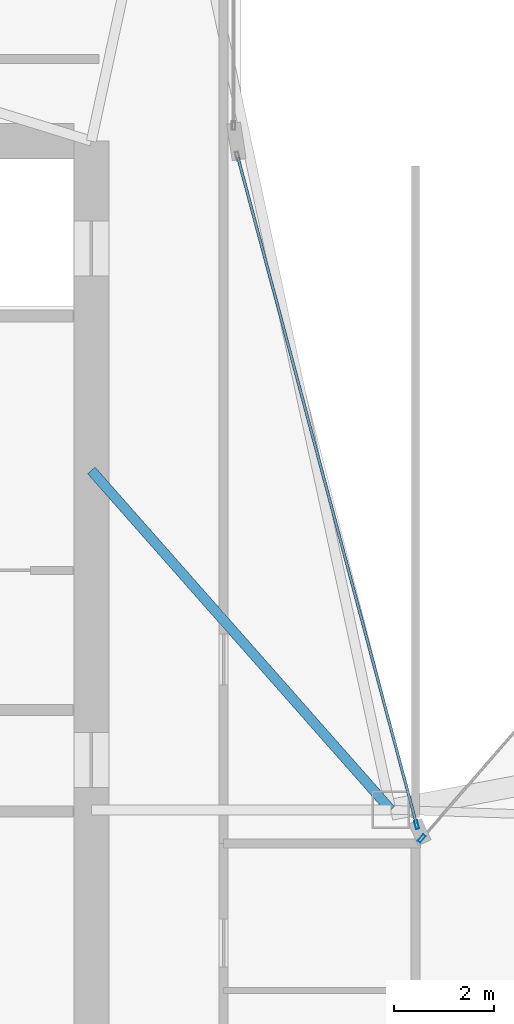
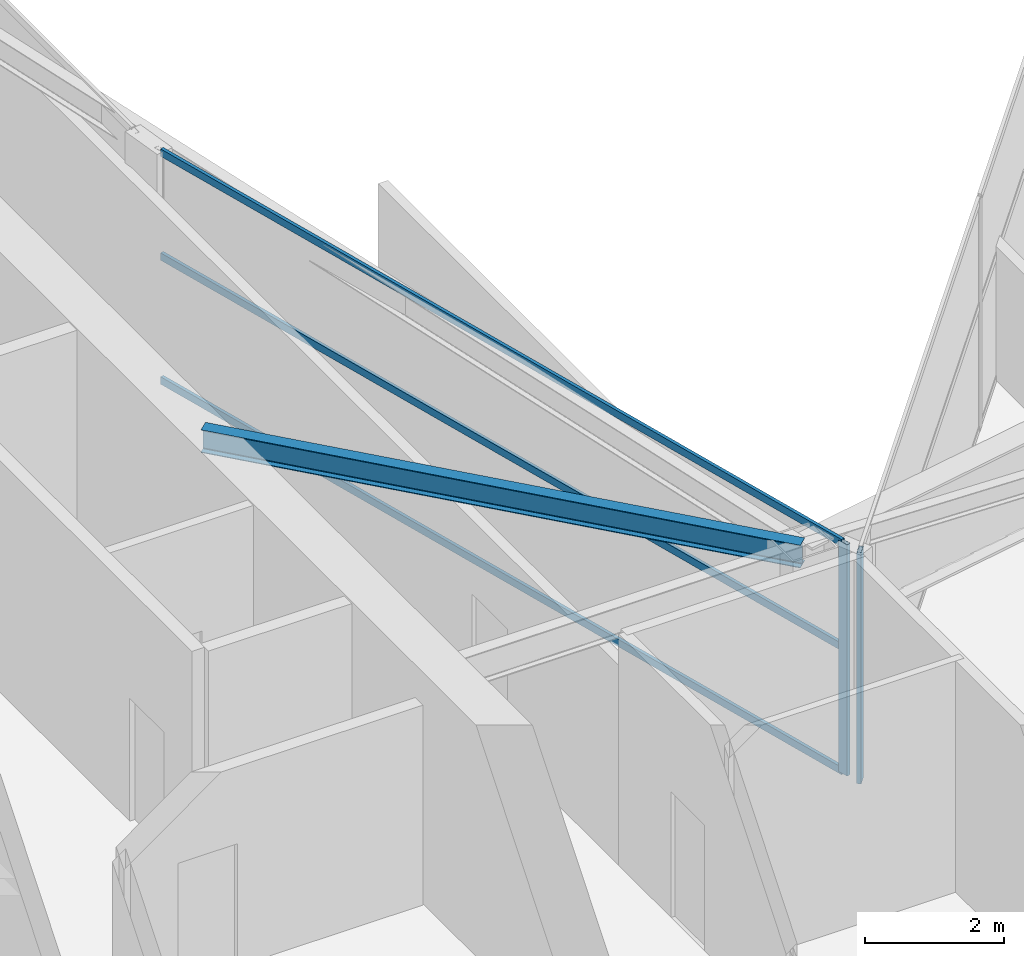
# One storey, part 11 of 29: 5 members, 1 beam, 2 elements without a shape of their own.
"""IFC4 building model written with IfcOpenShell, lengths in metres."""

import ifcopenshell
import ifcopenshell.guid

model = None  # the IFC model being written
_history = None  # IfcOwnerHistory: only IFC2X3 demands one
_inside = {}  # id of a spatial element -> (the spatial element, [elements in it])
_under = {}  # id of a project, library or spatial element -> (it, [spatial elements below it])
_declared = {}  # id of a project -> (the project, [libraries it declares])
_typed = {}  # id of a type object -> (the type object, [elements of that type])
_made_of = {}  # id of a material, layer set ... -> (it, [elements and type objects made of it])


def new_model(schema):
    """Start an empty IFC model of exactly this schema.

    Asked for "IFC4X3", IfcOpenShell would pick the latest addendum, in which some entities
    have other attributes; the version numbers below select the first issue.
    IFC2X3 requires an IfcOwnerHistory on every rooted entity: one is made here for all.
    """
    global model, _history
    if schema == "IFC4X3":
        model = ifcopenshell.file(schema_version=(4, 3, 0, 0))
    else:
        model = ifcopenshell.file(schema=schema)
    _inside.clear()
    _under.clear()
    _declared.clear()
    _typed.clear()
    _made_of.clear()
    _history = None
    if model.schema == "IFC2X3":
        org = make("IfcOrganization", Name="unknown")
        user = make(
            "IfcPersonAndOrganization",
            ThePerson=make("IfcPerson", FamilyName="unknown"),
            TheOrganization=org,
        )
        app = make(
            "IfcApplication",
            ApplicationDeveloper=org,
            Version="unknown",
            ApplicationFullName="unknown",
            ApplicationIdentifier="unknown",
        )
        _history = make(
            "IfcOwnerHistory",
            OwningUser=user,
            OwningApplication=app,
            ChangeAction="ADDED",
            CreationDate=0,
        )
    return model


def make(cls, **values):
    """One entity of the class cls with the attributes given. An attribute that is None is left unset."""
    return model.create_entity(
        cls, **{name: value for name, value in values.items() if value is not None}
    )


def rooted(cls, **values):
    """An entity with a GlobalId (a new one), such as an element, a storey or a relation."""
    return make(cls, GlobalId=ifcopenshell.guid.new(), OwnerHistory=_history, **values)


def si_unit(unit_type, name, prefix=None):
    """IfcSIUnit, for example si_unit("LENGTHUNIT", "METRE", prefix="MILLI")."""
    return make("IfcSIUnit", UnitType=unit_type, Prefix=prefix, Name=name)


def assignment(units):
    """IfcUnitAssignment: the units of a project."""
    return None if units is None else make("IfcUnitAssignment", Units=units)


def point(xyz):
    """IfcCartesianPoint."""
    return None if xyz is None else make("IfcCartesianPoint", Coordinates=xyz)


def direction(xyz):
    """IfcDirection."""
    return None if xyz is None else make("IfcDirection", DirectionRatios=xyz)


def frame(location, z_axis=None, x_axis=None):
    """IfcAxis2Placement3D, a coordinate frame: its origin and axes. An axis left out is left unset."""
    return make(
        "IfcAxis2Placement3D",
        Location=point(location),
        Axis=direction(z_axis),
        RefDirection=direction(x_axis),
    )


def frame_2d(location, x_axis=None):
    """IfcAxis2Placement2D, a coordinate frame in the plane: its origin and x axis."""
    return make(
        "IfcAxis2Placement2D", Location=point(location), RefDirection=direction(x_axis)
    )


def origin():
    """The frame at (0, 0, 0) with its axes left unset."""
    return frame((0.0, 0.0, 0.0))


def origin_2d():
    """The frame at (0, 0) in the plane with its x axis left unset."""
    return frame_2d((0.0, 0.0))


def place(relative_to, where):
    """IfcLocalPlacement: puts the frame where relative to a parent placement (None: the world)."""
    return make(
        "IfcLocalPlacement", PlacementRelTo=relative_to, RelativePlacement=where
    )


def context(
    kind, dimensions, precision=None, world=None, true_north=None, identifier=None
):
    """IfcGeometricRepresentationContext, for example the 3D "Model" context."""
    return make(
        "IfcGeometricRepresentationContext",
        ContextIdentifier=identifier,
        ContextType=kind,
        CoordinateSpaceDimension=dimensions,
        Precision=precision,
        WorldCoordinateSystem=world,
        TrueNorth=true_north,
    )


def subcontext(parent, identifier, kind, view, scale=None):
    """IfcGeometricRepresentationSubContext, for example "Body" below "Model"."""
    return make(
        "IfcGeometricRepresentationSubContext",
        ContextIdentifier=identifier,
        ContextType=kind,
        ParentContext=parent,
        TargetScale=scale,
        TargetView=view,
    )


def project(units=None, contexts=None):
    """IfcProject with its units and contexts."""
    return rooted(
        "IfcProject",
        Name="project",
        RepresentationContexts=contexts,
        UnitsInContext=assignment(units),
    )


def spatial(cls, under=None, at=None, **own):
    """A site, building, storey or space (cls), placed at a placement, below another one or the project."""
    s = rooted(cls, ObjectPlacement=at, **own)
    if under is not None:
        _under.setdefault(under.id(), (under, []))[1].append(s)
    return s


def profile(cls, at=None, kind="AREA", **sizes):
    """A parametric profile (cls). Its sizes go by their IFC names, for example OverallWidth=200.0."""
    return make(cls, ProfileType=kind, Position=at, **sizes)


def hollow_rectangle(**sizes):
    """IfcRectangleHollowProfileDef."""
    return profile("IfcRectangleHollowProfileDef", **sizes)


def i_section(**sizes):
    """IfcIShapeProfileDef."""
    return profile("IfcIShapeProfileDef", **sizes)


def extrude(swept, where, along, depth):
    """IfcExtrudedAreaSolid: the profile swept, set in the frame where, extruded along a direction by depth."""
    return make(
        "IfcExtrudedAreaSolid",
        SweptArea=swept,
        Position=where,
        ExtrudedDirection=direction(along),
        Depth=depth,
    )


def shape(context_of_items, identifier, shape_type, items):
    """IfcShapeRepresentation: the items that make up one representation, for example the "Body"."""
    return make(
        "IfcShapeRepresentation",
        ContextOfItems=context_of_items,
        RepresentationIdentifier=identifier,
        RepresentationType=shape_type,
        Items=items,
    )


def material(Name=None, Category=None):
    """IfcMaterial."""
    return make("IfcMaterial", Name=Name, Category=Category)


def layer(
    of_material, thickness, ventilated=None, Name=None, Category=None, Priority=None
):
    """IfcMaterialLayer: one layer of a wall or slab, of a material (None: an air gap)."""
    return make(
        "IfcMaterialLayer",
        Material=of_material,
        LayerThickness=thickness,
        IsVentilated=ventilated,
        Name=Name,
        Category=Category,
        Priority=Priority,
    )


def layer_set(layers, Name=None):
    """IfcMaterialLayerSet."""
    return make("IfcMaterialLayerSet", MaterialLayers=layers, LayerSetName=Name)


def material_profile(
    of_material, cross_section, Name=None, Category=None, Priority=None
):
    """IfcMaterialProfile: a cross section and its material."""
    return make(
        "IfcMaterialProfile",
        Name=Name,
        Material=of_material,
        Profile=cross_section,
        Priority=Priority,
        Category=Category,
    )


def profile_set(profiles, Name=None, composite=None):
    """IfcMaterialProfileSet."""
    return make(
        "IfcMaterialProfileSet",
        Name=Name,
        MaterialProfiles=profiles,
        CompositeProfile=composite,
    )


def made_of(thing, what):
    """Note that an element or type object is made of a material, layer set ...; save() writes the relation."""
    if what is not None:
        _made_of.setdefault(what.id(), (what, []))[1].append(thing)
    return thing


def type_object(cls, material=None, **own):
    """A type object (cls), such as IfcWallType, which elements share."""
    return made_of(rooted(cls, **own), material)


def element(
    cls,
    number,
    at=None,
    inside=None,
    cuts=None,
    type_object=None,
    material=None,
    context=None,
    identifier="Body",
    shape_type=None,
    held_by="IfcProductDefinitionShape",
    body=None,
    shapes=None,
    **own,
):
    """One element of the class cls, such as IfcWall. Its Tag is "e" and its number.

    at: its placement. inside: the storey or other place that contains it. cuts: it is an
    opening in that element (IfcRelVoidsElement). A single representation is given by context,
    identifier, shape_type and body (its items); several are given by shapes. held_by: the class
    of the entity that holds the representations. save() writes the other relations.
    """
    e = rooted(cls, Tag="e%d" % number, ObjectPlacement=at, **own)
    if body is not None:
        shapes = [shape(context, identifier, shape_type, body)]
    if shapes is not None:
        e.Representation = make(held_by, Representations=shapes)
    if inside is not None:
        _inside.setdefault(inside.id(), (inside, []))[1].append(e)
    if cuts is not None:
        rooted(
            "IfcRelVoidsElement", RelatingBuildingElement=cuts, RelatedOpeningElement=e
        )
    if type_object is not None:
        _typed.setdefault(type_object.id(), (type_object, []))[1].append(e)
    return made_of(e, material)


def aggregate(whole, parts):
    """IfcRelAggregates: a whole, such as a stair, and the parts it consists of."""
    return rooted("IfcRelAggregates", RelatingObject=whole, RelatedObjects=parts)


def save(model, path):
    """Write the relations noted so far, then the file.

    IfcRelAggregates (storeys below a building ...), IfcRelContainedInSpatialStructure (elements
    in a storey), IfcRelDefinesByType, IfcRelAssociatesMaterial and IfcRelDeclares: one each for
    every whole, place, type object, material and project.
    """
    for whole, parts in _under.values():
        aggregate(whole, parts)
    for where, things in _inside.values():
        rooted(
            "IfcRelContainedInSpatialStructure",
            RelatedElements=things,
            RelatingStructure=where,
        )
    for kind, things in _typed.values():
        rooted("IfcRelDefinesByType", RelatedObjects=things, RelatingType=kind)
    for what, things in _made_of.values():
        rooted("IfcRelAssociatesMaterial", RelatedObjects=things, RelatingMaterial=what)
    for by, libraries in _declared.values():
        rooted("IfcRelDeclares", RelatingContext=by, RelatedDefinitions=libraries)
    model.write(path)


model = new_model("IFC4")

# Units and contexts
model_context = context("Model", 3, precision=1e-05, world=origin(), true_north=direction((0.0, 1.0)))
body_context = subcontext(model_context, "Body", "Model", "MODEL_VIEW")
ifc_project = project(units=[si_unit("LENGTHUNIT", "METRE"), si_unit("AREAUNIT", "SQUARE_METRE"), si_unit("VOLUMEUNIT", "CUBIC_METRE"), si_unit("PLANEANGLEUNIT", "RADIAN"), si_unit("MASSUNIT", "GRAM", prefix="KILO")], contexts=[model_context])

# Site, building, storey
site_placement = place(None, origin())
site = spatial("IfcSite", under=ifc_project, at=site_placement, CompositionType="ELEMENT")
building_placement = place(site_placement, origin())
building = spatial("IfcBuilding", under=site, at=building_placement, Name="Calvorn Quay Hotel", CompositionType="ELEMENT")
storey_placement = place(building_placement, frame((0.0, 0.0, 259.0)))
storey = spatial("IfcBuildingStorey", under=building, at=storey_placement, Name="L64", CompositionType="ELEMENT", Elevation=259.0)

# Beam
ifc_material_1 = material(Name="Steel Q355B", Category="steel")
ifc_material_profile_1 = material_profile(ifc_material_1, i_section(OverallWidth=0.199951171875, OverallDepth=0.39990234375, WebThickness=0.008056640625, FlangeThickness=0.012939453125, FilletRadius=0.01611328125, at=origin_2d()), Name="HN400x200x8x13")
ifc_profile_set_1 = profile_set([ifc_material_profile_1], Name="Steel Q355B")
beam_type = type_object("IfcBeamType", Name="BM-JOIST-TYP", PredefinedType="JOIST", material=ifc_profile_set_1)
beam_placement = place(storey_placement, frame((15.0, 31.800048828125, 3.85009765625), z_axis=(0.661618965899, -0.749840212287, 0.0), x_axis=(0.749840212287, 0.661618965899, 0.0)))
element("IfcBeam", 1, at=beam_placement, inside=storey, type_object=beam_type, Name="Beam BJ-L64-C1", PredefinedType="JOIST", context=body_context, shape_type="SweptSolid", body=[
    extrude(i_section(OverallWidth=0.199951171875, OverallDepth=0.39990234375, WebThickness=0.008056640625, FlangeThickness=0.012939453125, FilletRadius=0.01611328125, at=origin_2d()), origin(), (0.0, 0.0, 1.0), 9.068603515625),
])

# Curtain wall, member
ifc_material_2 = material(Name="Champagne Bronze Anodised Aluminium and Low-E Glass", Category="aluminium")
ifc_layer = layer(ifc_material_2, 0.219970703125)
ifc_layer_set = layer_set([ifc_layer], Name="CW-SYS-Z4")
curtain_wall_type = type_object("IfcCurtainWallType", Name="CW-SYS-Z4", PredefinedType="NOTDEFINED", material=ifc_layer_set)
curtain_wall_1_placement = place(storey_placement, origin())
curtain_wall_1 = element("IfcCurtainWall", 2, at=curtain_wall_1_placement, inside=storey, type_object=curtain_wall_type, Name="Inner Court Curtain Wall L64-NE1", PredefinedType="NOTDEFINED")
ifc_material_3 = material(Name="Champagne Bronze Anodised Aluminium 6063-T6", Category="aluminium")
ifc_material_profile_2 = material_profile(ifc_material_3, hollow_rectangle(XDim=0.06494140625, YDim=0.169921875, WallThickness=0.00341796875, at=origin_2d()), Name="ALU-M170x65x3.5")
ifc_profile_set_2 = profile_set([ifc_material_profile_2], Name="Champagne Bronze Anodised Aluminium 6063-T6")
member_type_1 = type_object("IfcMemberType", Name="CW-SYS-Z4-MUL", PredefinedType="MULLION", material=ifc_profile_set_2)
member_1_placement = place(storey_placement, frame((21.61962890625, 24.422607421875, 0.0), z_axis=(0.0, 0.0, 1.0), x_axis=(0.755322467304, -0.655353317216, 0.0)))
member_1 = element("IfcMember", 3, at=member_1_placement, type_object=member_type_1, Name="CW-L64-NE1 mullion 3", PredefinedType="MULLION", context=body_context, shape_type="SweptSolid", body=[
    extrude(hollow_rectangle(XDim=0.06494140625, YDim=0.169921875, WallThickness=0.00341796875, at=origin_2d()), origin(), (0.0, 0.0, 1.0), 4.050048828125),
])
aggregate(curtain_wall_1, [member_1])

# Curtain wall, members
curtain_wall_2_placement = place(storey_placement, origin())
curtain_wall_2 = element("IfcCurtainWall", 4, at=curtain_wall_2_placement, inside=storey, type_object=curtain_wall_type, Name="Inner Court Curtain Wall L64-IC1", PredefinedType="NOTDEFINED")
member_2_placement = place(storey_placement, frame((21.520263671875, 24.698974609375, 0.0), z_axis=(0.0, 0.0, 1.0), x_axis=(-0.96593652056, -0.25877913024, 0.0)))
member_2 = element("IfcMember", 5, at=member_2_placement, type_object=member_type_1, Name="CW-L64-IC1 mullion 1", PredefinedType="MULLION", context=body_context, shape_type="SweptSolid", body=[
    extrude(hollow_rectangle(XDim=0.06494140625, YDim=0.169921875, WallThickness=0.00341796875, at=origin_2d()), origin(), (0.0, 0.0, 1.0), 4.050048828125),
])
ifc_material_4 = material(Name="Champagne Bronze Anodised Aluminium 6063-T6", Category="aluminium")
ifc_material_profile_3 = material_profile(ifc_material_4, hollow_rectangle(XDim=0.054931640625, YDim=0.1298828125, WallThickness=0.003173828125, at=origin_2d()), Name="ALU-T130x55x3.2")
ifc_profile_set_3 = profile_set([ifc_material_profile_3], Name="Champagne Bronze Anodised Aluminium 6063-T6")
member_type_2 = type_object("IfcMemberType", Name="CW-SYS-Z4-TRN", PredefinedType="USERDEFINED", material=ifc_profile_set_3)
member_3_placement = place(storey_placement, frame((21.512451171875, 24.72802734375, 0.030029296875), z_axis=(-0.258781136883, 0.965935982969, 0.0), x_axis=(-0.965935982969, -0.258781136883, 0.0)))
member_3 = element("IfcMember", 6, at=member_3_placement, type_object=member_type_2, Name="CW-L64-IC1 transom 1.1", ObjectType="TRANSOM", PredefinedType="USERDEFINED", context=body_context, shape_type="SweptSolid", body=[
    extrude(hollow_rectangle(XDim=0.054931640625, YDim=0.1298828125, WallThickness=0.003173828125, at=origin_2d()), origin(), (0.0, 0.0, 1.0), 13.814453125),
])
member_4_placement = place(storey_placement, frame((21.512451171875, 24.72802734375, 2.199951171875), z_axis=(-0.258781136883, 0.965935982969, 0.0), x_axis=(-0.965935982969, -0.258781136883, 0.0)))
member_4 = element("IfcMember", 7, at=member_4_placement, type_object=member_type_2, Name="CW-L64-IC1 transom 1.2", ObjectType="TRANSOM", PredefinedType="USERDEFINED", context=body_context, shape_type="SweptSolid", body=[
    extrude(hollow_rectangle(XDim=0.054931640625, YDim=0.1298828125, WallThickness=0.003173828125, at=origin_2d()), origin(), (0.0, 0.0, 1.0), 13.814453125),
])
member_5_placement = place(storey_placement, frame((21.512451171875, 24.72802734375, 4.02001953125), z_axis=(-0.258781136883, 0.965935982969, 0.0), x_axis=(-0.965935982969, -0.258781136883, 0.0)))
member_5 = element("IfcMember", 8, at=member_5_placement, type_object=member_type_2, Name="CW-L64-IC1 transom 1.3", ObjectType="TRANSOM", PredefinedType="USERDEFINED", context=body_context, shape_type="SweptSolid", body=[
    extrude(hollow_rectangle(XDim=0.054931640625, YDim=0.1298828125, WallThickness=0.003173828125, at=origin_2d()), origin(), (0.0, 0.0, 1.0), 13.814453125),
])
aggregate(curtain_wall_2, [member_2, member_3, member_4, member_5])

save(model, "model.ifc")
